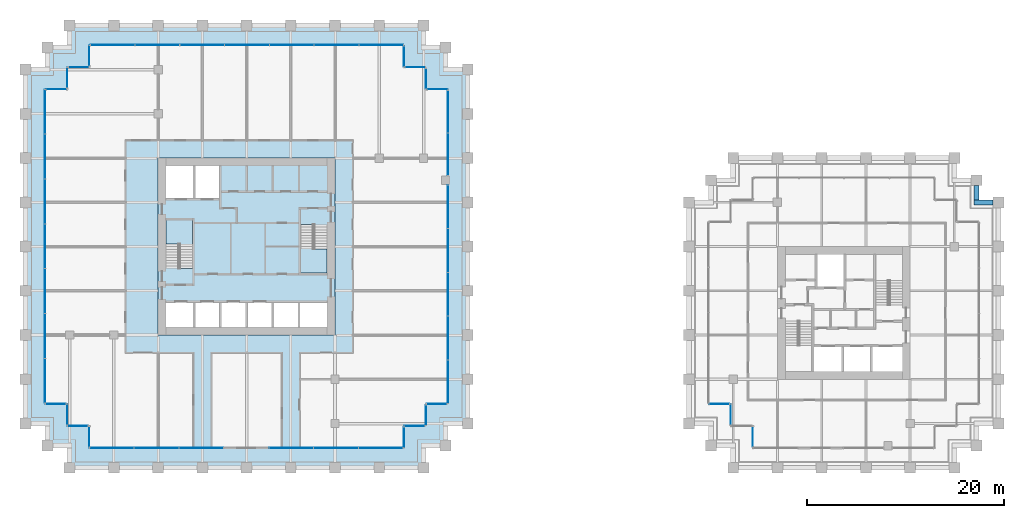
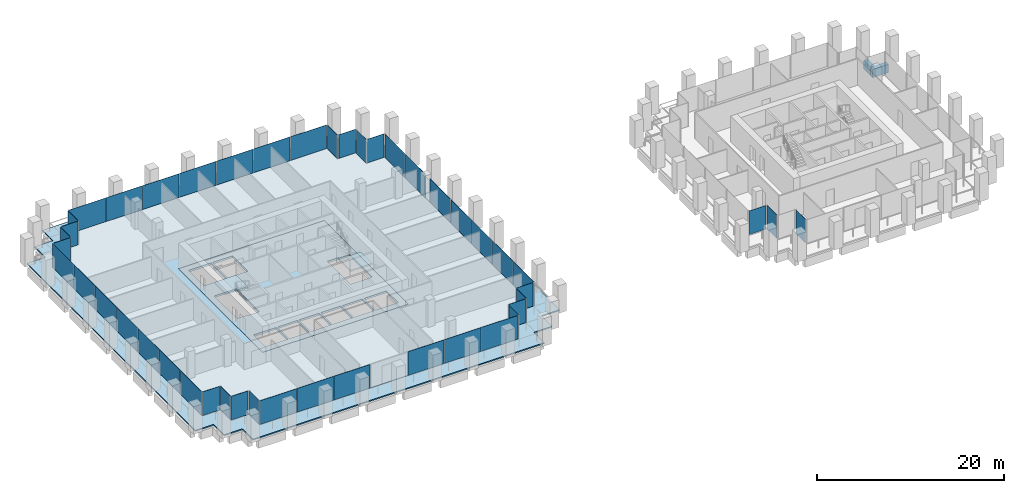
# One storey, part 48 of 56: 46 plates, 5 slabs, 2 beams, 27 elements without a shape of their own.
"""IFC4 building model written with IfcOpenShell, lengths in metres."""

from ifc_helpers import new_model, si_unit, direction, frame, origin, origin_2d, place, context, subcontext, project, spatial, polyline, rectangle, outline, extrude, material, layer, layer_set, material_profile, profile_set, type_object, element, aggregate, save


model = new_model("IFC4")

# Units and contexts
model_context = context("Model", 3, precision=1e-05, world=origin(), true_north=direction((0.0, 1.0)))
body_context = subcontext(model_context, "Body", "Model", "MODEL_VIEW")
ifc_project = project(units=[si_unit("LENGTHUNIT", "METRE"), si_unit("AREAUNIT", "SQUARE_METRE"), si_unit("VOLUMEUNIT", "CUBIC_METRE"), si_unit("PLANEANGLEUNIT", "RADIAN"), si_unit("MASSUNIT", "GRAM", prefix="KILO")], contexts=[model_context])

# Site, building, storey
site_placement = place(None, origin())
site = spatial("IfcSite", under=ifc_project, at=site_placement, CompositionType="ELEMENT")
building_placement = place(site_placement, origin())
building = spatial("IfcBuilding", under=site, at=building_placement, Name="Altepetl Exchange Towers", CompositionType="ELEMENT")
storey_placement = place(building_placement, frame((0.0, 0.0, 76.199951171875)))
storey = spatial("IfcBuildingStorey", under=building, at=storey_placement, Name="L18", CompositionType="ELEMENT", Elevation=76.199951171875)

# Beams
ifc_material_1 = material(Name="Concrete C50/60 precast with cantera amarilla facing", Category="concrete")
ifc_material_profile = material_profile(ifc_material_1, rectangle(XDim=0.5, YDim=1.10009765625, at=origin_2d()), Name="500 x 1100")
ifc_profile_set = profile_set([ifc_material_profile], Name="Concrete C50/60 precast with cantera amarilla facing")
beam_type = type_object("IfcBeamType", Name="Spandrel beam 500x1100 cantera amarilla", PredefinedType="SPANDREL", material=ifc_profile_set)
beam_1_placement = place(storey_placement, frame((125.449951171875, 54.0, -0.699951171875), z_axis=(-1.0, 0.0, 0.0), x_axis=(0.0, -1.0, 0.0)))
element("IfcBeam", 1, at=beam_1_placement, inside=storey, type_object=beam_type, Name="sp:B:L18:014", PredefinedType="SPANDREL", context=body_context, shape_type="SweptSolid", body=[
    extrude(rectangle(XDim=0.5, YDim=1.10009765625, at=origin_2d()), origin(), (0.0, 0.0, 1.0), 1.949951171875),
])
beam_2_placement = place(storey_placement, frame((123.75, 54.25, -0.699951171875), z_axis=(0.0, 1.0, 0.0), x_axis=(-1.0, 0.0, 0.0)))
element("IfcBeam", 2, at=beam_2_placement, inside=storey, type_object=beam_type, Name="sp:B:L18:015", PredefinedType="SPANDREL", context=body_context, shape_type="SweptSolid", body=[
    extrude(rectangle(XDim=0.5, YDim=1.10009765625, at=origin_2d()), origin(), (0.0, 0.0, 1.0), 1.449951171875),
])

# Slabs
ifc_material_2 = material(Name="Concrete C40/50", Category="concrete")
ifc_layer_1 = layer(ifc_material_2, 0.14990234375)
ifc_layer_set_1 = layer_set([ifc_layer_1], Name="Concrete C40/50")
slab_type_1 = type_object("IfcSlabType", Name="Composite floor slab 150", PredefinedType="FLOOR", material=ifc_layer_set_1)
slab_1_placement = place(storey_placement, frame((0.0, 0.0, -0.14990234375)))
element("IfcSlab", 3, at=slab_1_placement, inside=storey, type_object=slab_type_1, Name="slab:A:L18:strip0", PredefinedType="FLOOR", context=body_context, shape_type="SweptSolid", body=[
    extrude(outline(polyline([(31.25, 67.75), (31.25, 65.5), (29.0, 65.5), (29.0, 33.5), (31.25, 33.5), (31.25, 31.25), (33.5, 31.25), (33.5, 29.0), (65.5, 29.0), (65.5, 31.25), (67.75, 31.25), (67.75, 33.5), (70.0, 33.5), (70.0, 65.5), (67.75, 65.5), (67.75, 67.75), (65.5, 67.75), (65.5, 70.0), (33.5, 70.0), (33.5, 67.75), (31.25, 67.75)]), holes=[polyline([(58.5, 58.5), (58.5, 40.5), (40.5, 40.5), (40.5, 58.5), (58.5, 58.5)])]), origin(), (0.0, 0.0, 1.0), 0.14990234375),
])
ifc_layer_2 = layer(ifc_material_2, 0.25)
ifc_layer_set_2 = layer_set([ifc_layer_2], Name="Concrete C40/50")
slab_type_2 = type_object("IfcSlabType", Name="Core floor slab 250", PredefinedType="FLOOR", material=ifc_layer_set_2)
slab_2_placement = place(storey_placement, frame((0.0, 0.0, -0.25)))
element("IfcSlab", 4, at=slab_2_placement, inside=storey, type_object=slab_type_2, Name="slab:A:L18:core0", PredefinedType="FLOOR", context=body_context, shape_type="SweptSolid", body=[
    extrude(outline(polyline([(40.5, 40.5), (58.5, 40.5), (58.5, 58.5), (40.5, 58.5), (40.5, 40.5)]), holes=[polyline([(41.300048828125, 43.800048828125), (44.06689453125, 43.800048828125), (44.06689453125, 41.300048828125), (41.300048828125, 41.300048828125), (41.300048828125, 43.800048828125)]), polyline([(44.26708984375, 43.800048828125), (46.73291015625, 43.800048828125), (46.73291015625, 41.300048828125), (44.26708984375, 41.300048828125), (44.26708984375, 43.800048828125)]), polyline([(46.93310546875, 43.800048828125), (49.39990234375, 43.800048828125), (49.39990234375, 41.300048828125), (46.93310546875, 41.300048828125), (46.93310546875, 43.800048828125)]), polyline([(52.06689453125, 43.800048828125), (52.06689453125, 41.300048828125), (49.60009765625, 41.300048828125), (49.60009765625, 43.800048828125), (52.06689453125, 43.800048828125)]), polyline([(54.73291015625, 43.800048828125), (54.73291015625, 41.300048828125), (52.26708984375, 41.300048828125), (52.26708984375, 43.800048828125), (54.73291015625, 43.800048828125)]), polyline([(54.93310546875, 43.800048828125), (57.699951171875, 43.800048828125), (57.699951171875, 41.300048828125), (54.93310546875, 41.300048828125), (54.93310546875, 43.800048828125)]), polyline([(55.0, 51.7490234375), (56.39990234375, 51.7490234375), (56.39990234375, 51.64990234375), (57.699951171875, 51.64990234375), (57.699951171875, 46.800048828125), (55.0, 46.800048828125), (55.0, 51.7490234375)]), polyline([(44.0, 47.2509765625), (42.60009765625, 47.2509765625), (42.60009765625, 47.35009765625), (41.300048828125, 47.35009765625), (41.300048828125, 52.199951171875), (44.0, 52.199951171875), (44.0, 47.2509765625)]), polyline([(44.06689453125, 57.699951171875), (44.06689453125, 54.39990234375), (41.300048828125, 54.39990234375), (41.300048828125, 57.699951171875), (44.06689453125, 57.699951171875)]), polyline([(46.73291015625, 57.699951171875), (46.73291015625, 54.39990234375), (44.26708984375, 54.39990234375), (44.26708984375, 57.699951171875), (46.73291015625, 57.699951171875)])]), origin(), (0.0, 0.0, 1.0), 0.25),
])

# Curtain wall, plate
ifc_material_3 = material(Name="Aluminium 6063-T6 glazing", Category="aluminium")
curtain_wall_type = type_object("IfcCurtainWallType", Name="Loggia glazing system", PredefinedType="NOTDEFINED", material=ifc_material_3)
curtain_wall_1_placement = place(storey_placement, origin())
curtain_wall_1 = element("IfcCurtainWall", 5, at=curtain_wall_1_placement, inside=storey, type_object=curtain_wall_type, Name="CW1 run", PredefinedType="NOTDEFINED")
ifc_material_4 = material(Name="Glass 6-16-6 low emissivity", Category="glass")
ifc_layer_3 = layer(ifc_material_4, 0.028076171875)
ifc_layer_set_3 = layer_set([ifc_layer_3], Name="Glass 6-16-6 low emissivity")
plate_type = type_object("IfcPlateType", Name="Glass panel 28 double glazed", PredefinedType="CURTAIN_PANEL", material=ifc_layer_set_3)
plate_1_placement = place(storey_placement, frame((30.16259765625, 65.5, 0.0), z_axis=(0.0, 0.0, 1.0), x_axis=(-1.0, 0.0, 0.0)))
plate_1 = element("IfcPlate", 6, at=plate_1_placement, type_object=plate_type, Name="GP1 panel", PredefinedType="CURTAIN_PANEL", context=body_context, shape_type="SweptSolid", body=[
    extrude(rectangle(XDim=2.054931640625, YDim=0.028076171875, at=origin_2d()), origin(), (0.0, 0.0, 1.0), 3.10009765625),
])
aggregate(curtain_wall_1, [plate_1])

# Curtain wall, plates
curtain_wall_2_placement = place(storey_placement, origin())
curtain_wall_2 = element("IfcCurtainWall", 7, at=curtain_wall_2_placement, inside=storey, type_object=curtain_wall_type, Name="CW1 run", PredefinedType="NOTDEFINED")
plate_2_placement = place(storey_placement, frame((29.0, 63.20458984375, 0.0), z_axis=(0.0, 0.0, 1.0), x_axis=(0.0, -1.0, 0.0)))
plate_2 = element("IfcPlate", 8, at=plate_2_placement, type_object=plate_type, Name="GP1 panel", PredefinedType="CURTAIN_PANEL", context=body_context, shape_type="SweptSolid", body=[
    extrude(rectangle(XDim=4.470703125, YDim=0.028076171875, at=origin_2d()), origin(), (0.0, 0.0, 1.0), 3.10009765625),
])
plate_3_placement = place(storey_placement, frame((29.0, 58.658935546875, 0.0), z_axis=(0.0, 0.0, 1.0), x_axis=(0.0, -1.0, 0.0)))
plate_3 = element("IfcPlate", 9, at=plate_3_placement, type_object=plate_type, Name="GP1 panel", PredefinedType="CURTAIN_PANEL", context=body_context, shape_type="SweptSolid", body=[
    extrude(rectangle(XDim=4.500732421875, YDim=0.028076171875, at=origin_2d()), origin(), (0.0, 0.0, 1.0), 3.10009765625),
])
plate_4_placement = place(storey_placement, frame((29.0, 54.09814453125, 0.0), z_axis=(0.0, 0.0, 1.0), x_axis=(0.0, -1.0, 0.0)))
plate_4 = element("IfcPlate", 10, at=plate_4_placement, type_object=plate_type, Name="GP1 panel", PredefinedType="CURTAIN_PANEL", context=body_context, shape_type="SweptSolid", body=[
    extrude(rectangle(XDim=4.500732421875, YDim=0.028076171875, at=origin_2d()), origin(), (0.0, 0.0, 1.0), 3.10009765625),
])
plate_5_placement = place(storey_placement, frame((29.0, 49.53759765625, 0.0), z_axis=(0.0, 0.0, 1.0), x_axis=(0.0, -1.0, 0.0)))
plate_5 = element("IfcPlate", 11, at=plate_5_placement, type_object=plate_type, Name="GP1 panel", PredefinedType="CURTAIN_PANEL", context=body_context, shape_type="SweptSolid", body=[
    extrude(rectangle(XDim=4.500732421875, YDim=0.028076171875, at=origin_2d()), origin(), (0.0, 0.0, 1.0), 3.10009765625),
])
plate_6_placement = place(storey_placement, frame((29.0, 44.976806640625, 0.0), z_axis=(0.0, 0.0, 1.0), x_axis=(0.0, -1.0, 0.0)))
plate_6 = element("IfcPlate", 12, at=plate_6_placement, type_object=plate_type, Name="GP1 panel", PredefinedType="CURTAIN_PANEL", context=body_context, shape_type="SweptSolid", body=[
    extrude(rectangle(XDim=4.500732421875, YDim=0.028076171875, at=origin_2d()), origin(), (0.0, 0.0, 1.0), 3.10009765625),
])
plate_7_placement = place(storey_placement, frame((29.0, 40.416015625, 0.0), z_axis=(0.0, 0.0, 1.0), x_axis=(0.0, -1.0, 0.0)))
plate_7 = element("IfcPlate", 13, at=plate_7_placement, type_object=plate_type, Name="GP1 panel", PredefinedType="CURTAIN_PANEL", context=body_context, shape_type="SweptSolid", body=[
    extrude(rectangle(XDim=4.500732421875, YDim=0.028076171875, at=origin_2d()), origin(), (0.0, 0.0, 1.0), 3.10009765625),
])
plate_8_placement = place(storey_placement, frame((29.0, 35.870361328125, 0.0), z_axis=(0.0, 0.0, 1.0), x_axis=(0.0, -1.0, 0.0)))
plate_8 = element("IfcPlate", 14, at=plate_8_placement, type_object=plate_type, Name="GP1 panel", PredefinedType="CURTAIN_PANEL", context=body_context, shape_type="SweptSolid", body=[
    extrude(rectangle(XDim=4.470703125, YDim=0.028076171875, at=origin_2d()), origin(), (0.0, 0.0, 1.0), 3.10009765625),
])
aggregate(curtain_wall_2, [plate_2, plate_3, plate_4, plate_5, plate_6, plate_7, plate_8])

# Curtain wall, plate
curtain_wall_3_placement = place(storey_placement, origin())
curtain_wall_3 = element("IfcCurtainWall", 15, at=curtain_wall_3_placement, inside=storey, type_object=curtain_wall_type, Name="CW1 run", PredefinedType="NOTDEFINED")
plate_9_placement = place(storey_placement, frame((30.08740234375, 33.5, 0.0)))
plate_9 = element("IfcPlate", 16, at=plate_9_placement, type_object=plate_type, Name="GP1 panel", PredefinedType="CURTAIN_PANEL", context=body_context, shape_type="SweptSolid", body=[
    extrude(rectangle(XDim=2.054931640625, YDim=0.028076171875, at=origin_2d()), origin(), (0.0, 0.0, 1.0), 3.10009765625),
])
aggregate(curtain_wall_3, [plate_9])

curtain_wall_4_placement = place(storey_placement, origin())
curtain_wall_4 = element("IfcCurtainWall", 17, at=curtain_wall_4_placement, inside=storey, type_object=curtain_wall_type, Name="CW1 run", PredefinedType="NOTDEFINED")
plate_10_placement = place(storey_placement, frame((31.25, 32.41259765625, 0.0), z_axis=(0.0, 0.0, 1.0), x_axis=(0.0, -1.0, 0.0)))
plate_10 = element("IfcPlate", 18, at=plate_10_placement, type_object=plate_type, Name="GP1 panel", PredefinedType="CURTAIN_PANEL", context=body_context, shape_type="SweptSolid", body=[
    extrude(rectangle(XDim=2.054931640625, YDim=0.028076171875, at=origin_2d()), origin(), (0.0, 0.0, 1.0), 3.10009765625),
])
aggregate(curtain_wall_4, [plate_10])

curtain_wall_5_placement = place(storey_placement, origin())
curtain_wall_5 = element("IfcCurtainWall", 19, at=curtain_wall_5_placement, inside=storey, type_object=curtain_wall_type, Name="CW1 run", PredefinedType="NOTDEFINED")
plate_11_placement = place(storey_placement, frame((32.33740234375, 31.25, 0.0)))
plate_11 = element("IfcPlate", 20, at=plate_11_placement, type_object=plate_type, Name="GP1 panel", PredefinedType="CURTAIN_PANEL", context=body_context, shape_type="SweptSolid", body=[
    extrude(rectangle(XDim=2.054931640625, YDim=0.028076171875, at=origin_2d()), origin(), (0.0, 0.0, 1.0), 3.10009765625),
])
aggregate(curtain_wall_5, [plate_11])

curtain_wall_6_placement = place(storey_placement, origin())
curtain_wall_6 = element("IfcCurtainWall", 21, at=curtain_wall_6_placement, inside=storey, type_object=curtain_wall_type, Name="CW1 run", PredefinedType="NOTDEFINED")
plate_12_placement = place(storey_placement, frame((33.5, 30.16259765625, 0.0), z_axis=(0.0, 0.0, 1.0), x_axis=(0.0, -1.0, 0.0)))
plate_12 = element("IfcPlate", 22, at=plate_12_placement, type_object=plate_type, Name="GP1 panel", PredefinedType="CURTAIN_PANEL", context=body_context, shape_type="SweptSolid", body=[
    extrude(rectangle(XDim=2.054931640625, YDim=0.028076171875, at=origin_2d()), origin(), (0.0, 0.0, 1.0), 3.10009765625),
])
aggregate(curtain_wall_6, [plate_12])

# Curtain wall, plates
curtain_wall_7_placement = place(storey_placement, origin())
curtain_wall_7 = element("IfcCurtainWall", 23, at=curtain_wall_7_placement, inside=storey, type_object=curtain_wall_type, Name="CW1 run", PredefinedType="NOTDEFINED")
plate_13_placement = place(storey_placement, frame((35.79541015625, 29.0, 0.0)))
plate_13 = element("IfcPlate", 24, at=plate_13_placement, type_object=plate_type, Name="GP1 panel", PredefinedType="CURTAIN_PANEL", context=body_context, shape_type="SweptSolid", body=[
    extrude(rectangle(XDim=4.470703125, YDim=0.028076171875, at=origin_2d()), origin(), (0.0, 0.0, 1.0), 3.10009765625),
])
plate_14_placement = place(storey_placement, frame((40.341064453125, 29.0, 0.0)))
plate_14 = element("IfcPlate", 25, at=plate_14_placement, type_object=plate_type, Name="GP1 panel", PredefinedType="CURTAIN_PANEL", context=body_context, shape_type="SweptSolid", body=[
    extrude(rectangle(XDim=4.500732421875, YDim=0.028076171875, at=origin_2d()), origin(), (0.0, 0.0, 1.0), 3.10009765625),
])
plate_15_placement = place(storey_placement, frame((44.88671875, 29.0, 0.0)))
plate_15 = element("IfcPlate", 26, at=plate_15_placement, type_object=plate_type, Name="GP1 panel", PredefinedType="CURTAIN_PANEL", context=body_context, shape_type="SweptSolid", body=[
    extrude(rectangle(XDim=4.470703125, YDim=0.028076171875, at=origin_2d()), origin(), (0.0, 0.0, 1.0), 3.10009765625),
])
aggregate(curtain_wall_7, [plate_13, plate_14, plate_15])

curtain_wall_8_placement = place(storey_placement, origin())
curtain_wall_8 = element("IfcCurtainWall", 27, at=curtain_wall_8_placement, inside=storey, type_object=curtain_wall_type, Name="CW1 run", PredefinedType="NOTDEFINED")
plate_16_placement = place(storey_placement, frame((54.038330078125, 29.0, 0.0)))
plate_16 = element("IfcPlate", 28, at=plate_16_placement, type_object=plate_type, Name="GP1 panel", PredefinedType="CURTAIN_PANEL", context=body_context, shape_type="SweptSolid", body=[
    extrude(rectangle(XDim=4.470703125, YDim=0.028076171875, at=origin_2d()), origin(), (0.0, 0.0, 1.0), 3.10009765625),
])
plate_17_placement = place(storey_placement, frame((58.583984375, 29.0, 0.0)))
plate_17 = element("IfcPlate", 29, at=plate_17_placement, type_object=plate_type, Name="GP1 panel", PredefinedType="CURTAIN_PANEL", context=body_context, shape_type="SweptSolid", body=[
    extrude(rectangle(XDim=4.500732421875, YDim=0.028076171875, at=origin_2d()), origin(), (0.0, 0.0, 1.0), 3.10009765625),
])
plate_18_placement = place(storey_placement, frame((63.129638671875, 29.0, 0.0)))
plate_18 = element("IfcPlate", 30, at=plate_18_placement, type_object=plate_type, Name="GP1 panel", PredefinedType="CURTAIN_PANEL", context=body_context, shape_type="SweptSolid", body=[
    extrude(rectangle(XDim=4.470703125, YDim=0.028076171875, at=origin_2d()), origin(), (0.0, 0.0, 1.0), 3.10009765625),
])
aggregate(curtain_wall_8, [plate_16, plate_17, plate_18])

# Curtain wall, plate
curtain_wall_9_placement = place(storey_placement, origin())
curtain_wall_9 = element("IfcCurtainWall", 31, at=curtain_wall_9_placement, inside=storey, type_object=curtain_wall_type, Name="CW1 run", PredefinedType="NOTDEFINED")
plate_19_placement = place(storey_placement, frame((65.5, 30.08740234375, 0.0), z_axis=(0.0, 0.0, 1.0), x_axis=(0.0, 1.0, 0.0)))
plate_19 = element("IfcPlate", 32, at=plate_19_placement, type_object=plate_type, Name="GP1 panel", PredefinedType="CURTAIN_PANEL", context=body_context, shape_type="SweptSolid", body=[
    extrude(rectangle(XDim=2.054931640625, YDim=0.028076171875, at=origin_2d()), origin(), (0.0, 0.0, 1.0), 3.10009765625),
])
aggregate(curtain_wall_9, [plate_19])

curtain_wall_10_placement = place(storey_placement, origin())
curtain_wall_10 = element("IfcCurtainWall", 33, at=curtain_wall_10_placement, inside=storey, type_object=curtain_wall_type, Name="CW1 run", PredefinedType="NOTDEFINED")
plate_20_placement = place(storey_placement, frame((66.58740234375, 31.25, 0.0)))
plate_20 = element("IfcPlate", 34, at=plate_20_placement, type_object=plate_type, Name="GP1 panel", PredefinedType="CURTAIN_PANEL", context=body_context, shape_type="SweptSolid", body=[
    extrude(rectangle(XDim=2.054931640625, YDim=0.028076171875, at=origin_2d()), origin(), (0.0, 0.0, 1.0), 3.10009765625),
])
aggregate(curtain_wall_10, [plate_20])

curtain_wall_11_placement = place(storey_placement, origin())
curtain_wall_11 = element("IfcCurtainWall", 35, at=curtain_wall_11_placement, inside=storey, type_object=curtain_wall_type, Name="CW1 run", PredefinedType="NOTDEFINED")
plate_21_placement = place(storey_placement, frame((67.75, 32.33740234375, 0.0), z_axis=(0.0, 0.0, 1.0), x_axis=(0.0, 1.0, 0.0)))
plate_21 = element("IfcPlate", 36, at=plate_21_placement, type_object=plate_type, Name="GP1 panel", PredefinedType="CURTAIN_PANEL", context=body_context, shape_type="SweptSolid", body=[
    extrude(rectangle(XDim=2.054931640625, YDim=0.028076171875, at=origin_2d()), origin(), (0.0, 0.0, 1.0), 3.10009765625),
])
aggregate(curtain_wall_11, [plate_21])

curtain_wall_12_placement = place(storey_placement, origin())
curtain_wall_12 = element("IfcCurtainWall", 37, at=curtain_wall_12_placement, inside=storey, type_object=curtain_wall_type, Name="CW1 run", PredefinedType="NOTDEFINED")
plate_22_placement = place(storey_placement, frame((68.83740234375, 33.5, 0.0)))
plate_22 = element("IfcPlate", 38, at=plate_22_placement, type_object=plate_type, Name="GP1 panel", PredefinedType="CURTAIN_PANEL", context=body_context, shape_type="SweptSolid", body=[
    extrude(rectangle(XDim=2.054931640625, YDim=0.028076171875, at=origin_2d()), origin(), (0.0, 0.0, 1.0), 3.10009765625),
])
aggregate(curtain_wall_12, [plate_22])

# Curtain wall, plates
curtain_wall_13_placement = place(storey_placement, origin())
curtain_wall_13 = element("IfcCurtainWall", 39, at=curtain_wall_13_placement, inside=storey, type_object=curtain_wall_type, Name="CW1 run", PredefinedType="NOTDEFINED")
plate_23_placement = place(storey_placement, frame((70.0, 35.74560546875, 0.0), z_axis=(0.0, 0.0, 1.0), x_axis=(0.0, 1.0, 0.0)))
plate_23 = element("IfcPlate", 40, at=plate_23_placement, type_object=plate_type, Name="GP1 panel", PredefinedType="CURTAIN_PANEL", context=body_context, shape_type="SweptSolid", body=[
    extrude(rectangle(XDim=4.37109375, YDim=0.028076171875, at=origin_2d()), origin(), (0.0, 0.0, 1.0), 3.10009765625),
])
plate_24_placement = place(storey_placement, frame((70.0, 40.19140625, 0.0), z_axis=(0.0, 0.0, 1.0), x_axis=(0.0, 1.0, 0.0)))
plate_24 = element("IfcPlate", 41, at=plate_24_placement, type_object=plate_type, Name="GP1 panel", PredefinedType="CURTAIN_PANEL", context=body_context, shape_type="SweptSolid", body=[
    extrude(rectangle(XDim=4.40087890625, YDim=0.028076171875, at=origin_2d()), origin(), (0.0, 0.0, 1.0), 3.10009765625),
])
plate_25_placement = place(storey_placement, frame((70.0, 44.652587890625, 0.0), z_axis=(0.0, 0.0, 1.0), x_axis=(0.0, 1.0, 0.0)))
plate_25 = element("IfcPlate", 42, at=plate_25_placement, type_object=plate_type, Name="GP1 panel", PredefinedType="CURTAIN_PANEL", context=body_context, shape_type="SweptSolid", body=[
    extrude(rectangle(XDim=4.40087890625, YDim=0.028076171875, at=origin_2d()), origin(), (0.0, 0.0, 1.0), 3.10009765625),
])
plate_26_placement = place(storey_placement, frame((70.0, 49.113525390625, 0.0), z_axis=(0.0, 0.0, 1.0), x_axis=(0.0, 1.0, 0.0)))
plate_26 = element("IfcPlate", 43, at=plate_26_placement, type_object=plate_type, Name="GP1 panel", PredefinedType="CURTAIN_PANEL", context=body_context, shape_type="SweptSolid", body=[
    extrude(rectangle(XDim=4.40087890625, YDim=0.028076171875, at=origin_2d()), origin(), (0.0, 0.0, 1.0), 3.10009765625),
])
plate_27_placement = place(storey_placement, frame((70.0, 53.5595703125, 0.0), z_axis=(0.0, 0.0, 1.0), x_axis=(0.0, 1.0, 0.0)))
plate_27 = element("IfcPlate", 44, at=plate_27_placement, type_object=plate_type, Name="GP1 panel", PredefinedType="CURTAIN_PANEL", context=body_context, shape_type="SweptSolid", body=[
    extrude(rectangle(XDim=4.37109375, YDim=0.028076171875, at=origin_2d()), origin(), (0.0, 0.0, 1.0), 3.10009765625),
])
aggregate(curtain_wall_13, [plate_23, plate_24, plate_25, plate_26, plate_27])

curtain_wall_14_placement = place(storey_placement, origin())
curtain_wall_14 = element("IfcCurtainWall", 45, at=curtain_wall_14_placement, inside=storey, type_object=curtain_wall_type, Name="CW1 run", PredefinedType="NOTDEFINED")
plate_28_placement = place(storey_placement, frame((70.0, 58.892578125, 0.0), z_axis=(0.0, 0.0, 1.0), x_axis=(0.0, 1.0, 0.0)))
plate_28 = element("IfcPlate", 46, at=plate_28_placement, type_object=plate_type, Name="GP1 panel", PredefinedType="CURTAIN_PANEL", context=body_context, shape_type="SweptSolid", body=[
    extrude(rectangle(XDim=4.27490234375, YDim=0.028076171875, at=origin_2d()), origin(), (0.0, 0.0, 1.0), 3.10009765625),
])
plate_29_placement = place(storey_placement, frame((70.0, 63.2275390625, 0.0), z_axis=(0.0, 0.0, 1.0), x_axis=(0.0, 1.0, 0.0)))
plate_29 = element("IfcPlate", 47, at=plate_29_placement, type_object=plate_type, Name="GP1 panel", PredefinedType="CURTAIN_PANEL", context=body_context, shape_type="SweptSolid", body=[
    extrude(rectangle(XDim=4.27490234375, YDim=0.028076171875, at=origin_2d()), origin(), (0.0, 0.0, 1.0), 3.10009765625),
])
aggregate(curtain_wall_14, [plate_28, plate_29])

# Curtain wall, plate
curtain_wall_15_placement = place(storey_placement, origin())
curtain_wall_15 = element("IfcCurtainWall", 48, at=curtain_wall_15_placement, inside=storey, type_object=curtain_wall_type, Name="CW1 run", PredefinedType="NOTDEFINED")
plate_30_placement = place(storey_placement, frame((68.91259765625, 65.5, 0.0), z_axis=(0.0, 0.0, 1.0), x_axis=(-1.0, 0.0, 0.0)))
plate_30 = element("IfcPlate", 49, at=plate_30_placement, type_object=plate_type, Name="GP1 panel", PredefinedType="CURTAIN_PANEL", context=body_context, shape_type="SweptSolid", body=[
    extrude(rectangle(XDim=2.054931640625, YDim=0.028076171875, at=origin_2d()), origin(), (0.0, 0.0, 1.0), 3.10009765625),
])
aggregate(curtain_wall_15, [plate_30])

curtain_wall_16_placement = place(storey_placement, origin())
curtain_wall_16 = element("IfcCurtainWall", 50, at=curtain_wall_16_placement, inside=storey, type_object=curtain_wall_type, Name="CW1 run", PredefinedType="NOTDEFINED")
plate_31_placement = place(storey_placement, frame((67.75, 66.58740234375, 0.0), z_axis=(0.0, 0.0, 1.0), x_axis=(0.0, 1.0, 0.0)))
plate_31 = element("IfcPlate", 51, at=plate_31_placement, type_object=plate_type, Name="GP1 panel", PredefinedType="CURTAIN_PANEL", context=body_context, shape_type="SweptSolid", body=[
    extrude(rectangle(XDim=2.054931640625, YDim=0.028076171875, at=origin_2d()), origin(), (0.0, 0.0, 1.0), 3.10009765625),
])
aggregate(curtain_wall_16, [plate_31])

curtain_wall_17_placement = place(storey_placement, origin())
curtain_wall_17 = element("IfcCurtainWall", 52, at=curtain_wall_17_placement, inside=storey, type_object=curtain_wall_type, Name="CW1 run", PredefinedType="NOTDEFINED")
plate_32_placement = place(storey_placement, frame((66.66259765625, 67.75, 0.0), z_axis=(0.0, 0.0, 1.0), x_axis=(-1.0, 0.0, 0.0)))
plate_32 = element("IfcPlate", 53, at=plate_32_placement, type_object=plate_type, Name="GP1 panel", PredefinedType="CURTAIN_PANEL", context=body_context, shape_type="SweptSolid", body=[
    extrude(rectangle(XDim=2.054931640625, YDim=0.028076171875, at=origin_2d()), origin(), (0.0, 0.0, 1.0), 3.10009765625),
])
aggregate(curtain_wall_17, [plate_32])

curtain_wall_18_placement = place(storey_placement, origin())
curtain_wall_18 = element("IfcCurtainWall", 54, at=curtain_wall_18_placement, inside=storey, type_object=curtain_wall_type, Name="CW1 run", PredefinedType="NOTDEFINED")
plate_33_placement = place(storey_placement, frame((65.5, 68.83740234375, 0.0), z_axis=(0.0, 0.0, 1.0), x_axis=(0.0, 1.0, 0.0)))
plate_33 = element("IfcPlate", 55, at=plate_33_placement, type_object=plate_type, Name="GP1 panel", PredefinedType="CURTAIN_PANEL", context=body_context, shape_type="SweptSolid", body=[
    extrude(rectangle(XDim=2.054931640625, YDim=0.028076171875, at=origin_2d()), origin(), (0.0, 0.0, 1.0), 3.10009765625),
])
aggregate(curtain_wall_18, [plate_33])

# Curtain wall, plates
curtain_wall_19_placement = place(storey_placement, origin())
curtain_wall_19 = element("IfcCurtainWall", 56, at=curtain_wall_19_placement, inside=storey, type_object=curtain_wall_type, Name="CW1 run", PredefinedType="NOTDEFINED")
plate_34_placement = place(storey_placement, frame((63.20458984375, 70.0, 0.0), z_axis=(0.0, 0.0, 1.0), x_axis=(-1.0, 0.0, 0.0)))
plate_34 = element("IfcPlate", 57, at=plate_34_placement, type_object=plate_type, Name="GP1 panel", PredefinedType="CURTAIN_PANEL", context=body_context, shape_type="SweptSolid", body=[
    extrude(rectangle(XDim=4.470703125, YDim=0.028076171875, at=origin_2d()), origin(), (0.0, 0.0, 1.0), 3.10009765625),
])
plate_35_placement = place(storey_placement, frame((58.658935546875, 70.0, 0.0), z_axis=(0.0, 0.0, 1.0), x_axis=(-1.0, 0.0, 0.0)))
plate_35 = element("IfcPlate", 58, at=plate_35_placement, type_object=plate_type, Name="GP1 panel", PredefinedType="CURTAIN_PANEL", context=body_context, shape_type="SweptSolid", body=[
    extrude(rectangle(XDim=4.500732421875, YDim=0.028076171875, at=origin_2d()), origin(), (0.0, 0.0, 1.0), 3.10009765625),
])
plate_36_placement = place(storey_placement, frame((54.09814453125, 70.0, 0.0), z_axis=(0.0, 0.0, 1.0), x_axis=(-1.0, 0.0, 0.0)))
plate_36 = element("IfcPlate", 59, at=plate_36_placement, type_object=plate_type, Name="GP1 panel", PredefinedType="CURTAIN_PANEL", context=body_context, shape_type="SweptSolid", body=[
    extrude(rectangle(XDim=4.500732421875, YDim=0.028076171875, at=origin_2d()), origin(), (0.0, 0.0, 1.0), 3.10009765625),
])
plate_37_placement = place(storey_placement, frame((49.53759765625, 70.0, 0.0), z_axis=(0.0, 0.0, 1.0), x_axis=(-1.0, 0.0, 0.0)))
plate_37 = element("IfcPlate", 60, at=plate_37_placement, type_object=plate_type, Name="GP1 panel", PredefinedType="CURTAIN_PANEL", context=body_context, shape_type="SweptSolid", body=[
    extrude(rectangle(XDim=4.500732421875, YDim=0.028076171875, at=origin_2d()), origin(), (0.0, 0.0, 1.0), 3.10009765625),
])
plate_38_placement = place(storey_placement, frame((44.976806640625, 70.0, 0.0), z_axis=(0.0, 0.0, 1.0), x_axis=(-1.0, 0.0, 0.0)))
plate_38 = element("IfcPlate", 61, at=plate_38_placement, type_object=plate_type, Name="GP1 panel", PredefinedType="CURTAIN_PANEL", context=body_context, shape_type="SweptSolid", body=[
    extrude(rectangle(XDim=4.500732421875, YDim=0.028076171875, at=origin_2d()), origin(), (0.0, 0.0, 1.0), 3.10009765625),
])
plate_39_placement = place(storey_placement, frame((40.416015625, 70.0, 0.0), z_axis=(0.0, 0.0, 1.0), x_axis=(-1.0, 0.0, 0.0)))
plate_39 = element("IfcPlate", 62, at=plate_39_placement, type_object=plate_type, Name="GP1 panel", PredefinedType="CURTAIN_PANEL", context=body_context, shape_type="SweptSolid", body=[
    extrude(rectangle(XDim=4.500732421875, YDim=0.028076171875, at=origin_2d()), origin(), (0.0, 0.0, 1.0), 3.10009765625),
])
plate_40_placement = place(storey_placement, frame((35.870361328125, 70.0, 0.0), z_axis=(0.0, 0.0, 1.0), x_axis=(-1.0, 0.0, 0.0)))
plate_40 = element("IfcPlate", 63, at=plate_40_placement, type_object=plate_type, Name="GP1 panel", PredefinedType="CURTAIN_PANEL", context=body_context, shape_type="SweptSolid", body=[
    extrude(rectangle(XDim=4.470703125, YDim=0.028076171875, at=origin_2d()), origin(), (0.0, 0.0, 1.0), 3.10009765625),
])
aggregate(curtain_wall_19, [plate_34, plate_35, plate_36, plate_37, plate_38, plate_39, plate_40])

# Curtain wall, plate
curtain_wall_20_placement = place(storey_placement, origin())
curtain_wall_20 = element("IfcCurtainWall", 64, at=curtain_wall_20_placement, inside=storey, type_object=curtain_wall_type, Name="CW1 run", PredefinedType="NOTDEFINED")
plate_41_placement = place(storey_placement, frame((33.5, 68.91259765625, 0.0), z_axis=(0.0, 0.0, 1.0), x_axis=(0.0, -1.0, 0.0)))
plate_41 = element("IfcPlate", 65, at=plate_41_placement, type_object=plate_type, Name="GP1 panel", PredefinedType="CURTAIN_PANEL", context=body_context, shape_type="SweptSolid", body=[
    extrude(rectangle(XDim=2.054931640625, YDim=0.028076171875, at=origin_2d()), origin(), (0.0, 0.0, 1.0), 3.10009765625),
])
aggregate(curtain_wall_20, [plate_41])

curtain_wall_21_placement = place(storey_placement, origin())
curtain_wall_21 = element("IfcCurtainWall", 66, at=curtain_wall_21_placement, inside=storey, type_object=curtain_wall_type, Name="CW1 run", PredefinedType="NOTDEFINED")
plate_42_placement = place(storey_placement, frame((32.41259765625, 67.75, 0.0), z_axis=(0.0, 0.0, 1.0), x_axis=(-1.0, 0.0, 0.0)))
plate_42 = element("IfcPlate", 67, at=plate_42_placement, type_object=plate_type, Name="GP1 panel", PredefinedType="CURTAIN_PANEL", context=body_context, shape_type="SweptSolid", body=[
    extrude(rectangle(XDim=2.054931640625, YDim=0.028076171875, at=origin_2d()), origin(), (0.0, 0.0, 1.0), 3.10009765625),
])
aggregate(curtain_wall_21, [plate_42])

curtain_wall_22_placement = place(storey_placement, origin())
curtain_wall_22 = element("IfcCurtainWall", 68, at=curtain_wall_22_placement, inside=storey, type_object=curtain_wall_type, Name="CW1 run", PredefinedType="NOTDEFINED")
plate_43_placement = place(storey_placement, frame((31.25, 66.66259765625, 0.0), z_axis=(0.0, 0.0, 1.0), x_axis=(0.0, -1.0, 0.0)))
plate_43 = element("IfcPlate", 69, at=plate_43_placement, type_object=plate_type, Name="GP1 panel", PredefinedType="CURTAIN_PANEL", context=body_context, shape_type="SweptSolid", body=[
    extrude(rectangle(XDim=2.054931640625, YDim=0.028076171875, at=origin_2d()), origin(), (0.0, 0.0, 1.0), 3.10009765625),
])
aggregate(curtain_wall_22, [plate_43])

curtain_wall_23_placement = place(storey_placement, origin())
curtain_wall_23 = element("IfcCurtainWall", 70, at=curtain_wall_23_placement, inside=storey, type_object=curtain_wall_type, Name="CW1 run", PredefinedType="NOTDEFINED")
plate_44_placement = place(storey_placement, frame((97.58740234375, 33.5, 0.0)))
plate_44 = element("IfcPlate", 71, at=plate_44_placement, type_object=plate_type, Name="GP1 panel", PredefinedType="CURTAIN_PANEL", context=body_context, shape_type="SweptSolid", body=[
    extrude(rectangle(XDim=2.054931640625, YDim=0.028076171875, at=origin_2d()), origin(), (0.0, 0.0, 1.0), 3.10009765625),
])
aggregate(curtain_wall_23, [plate_44])

curtain_wall_24_placement = place(storey_placement, origin())
curtain_wall_24 = element("IfcCurtainWall", 72, at=curtain_wall_24_placement, inside=storey, type_object=curtain_wall_type, Name="CW1 run", PredefinedType="NOTDEFINED")
plate_45_placement = place(storey_placement, frame((98.75, 32.41259765625, 0.0), z_axis=(0.0, 0.0, 1.0), x_axis=(0.0, -1.0, 0.0)))
plate_45 = element("IfcPlate", 73, at=plate_45_placement, type_object=plate_type, Name="GP1 panel", PredefinedType="CURTAIN_PANEL", context=body_context, shape_type="SweptSolid", body=[
    extrude(rectangle(XDim=2.054931640625, YDim=0.028076171875, at=origin_2d()), origin(), (0.0, 0.0, 1.0), 3.10009765625),
])
aggregate(curtain_wall_24, [plate_45])

curtain_wall_25_placement = place(storey_placement, origin())
curtain_wall_25 = element("IfcCurtainWall", 74, at=curtain_wall_25_placement, inside=storey, type_object=curtain_wall_type, Name="CW1 run", PredefinedType="NOTDEFINED")
plate_46_placement = place(storey_placement, frame((101.0, 30.16259765625, 0.0), z_axis=(0.0, 0.0, 1.0), x_axis=(0.0, -1.0, 0.0)))
plate_46 = element("IfcPlate", 75, at=plate_46_placement, type_object=plate_type, Name="GP1 panel", PredefinedType="CURTAIN_PANEL", context=body_context, shape_type="SweptSolid", body=[
    extrude(rectangle(XDim=2.054931640625, YDim=0.028076171875, at=origin_2d()), origin(), (0.0, 0.0, 1.0), 3.10009765625),
])
aggregate(curtain_wall_25, [plate_46])

# Slab
ifc_layer_4 = layer(ifc_material_2, 0.14990234375)
ifc_layer_set_4 = layer_set([ifc_layer_4], Name="Concrete C40/50")
slab_type_3 = type_object("IfcSlabType", Name="Loggia slab 150", PredefinedType="FLOOR", material=ifc_layer_set_4)
slab_3_placement = place(storey_placement, frame((0.0, 0.0, -0.14990234375)))
element("IfcSlab", 76, at=slab_3_placement, inside=storey, type_object=slab_type_3, Name="slab:A:L18:loggia0", PredefinedType="FLOOR", context=body_context, shape_type="SweptSolid", body=[
    extrude(outline(polyline([(29.25, 67.5), (27.0, 67.5), (27.0, 40.5), (27.0, 31.5), (29.25, 31.5), (29.25, 29.25), (31.5, 29.25), (31.5, 27.0), (58.5, 27.0), (67.5, 27.0), (67.5, 29.25), (69.75, 29.25), (69.75, 31.5), (72.0, 31.5), (72.0, 58.5), (72.0, 67.5), (69.75, 67.5), (69.75, 69.75), (67.5, 69.75), (67.5, 72.0), (40.5, 72.0), (31.5, 72.0), (31.5, 69.75), (29.25, 69.75), (29.25, 67.5)]), holes=[polyline([(29.0, 65.5), (31.25, 65.5), (31.25, 67.75), (33.5, 67.75), (33.5, 70.0), (65.5, 70.0), (65.5, 67.75), (67.75, 67.75), (67.75, 65.5), (70.0, 65.5), (70.0, 33.5), (67.75, 33.5), (67.75, 31.25), (65.5, 31.25), (65.5, 29.0), (33.5, 29.0), (33.5, 31.25), (31.25, 31.25), (31.25, 33.5), (29.0, 33.5), (29.0, 65.5)])]), origin(), (0.0, 0.0, 1.0), 0.14990234375),
])

# Stair, slab
stair_type = type_object("IfcStairType", Name="Exit stair 1300 flights dogleg", PredefinedType="HALF_TURN_STAIR", material=ifc_material_2)
stair_1_placement = place(storey_placement, origin())
stair_1 = element("IfcStair", 77, at=stair_1_placement, inside=storey, type_object=stair_type, Name="Exit stair 1", PredefinedType="HALF_TURN_STAIR")
ifc_layer_5 = layer(ifc_material_2, 0.199951171875)
ifc_layer_set_5 = layer_set([ifc_layer_5], Name="Concrete C40/50")
slab_type_4 = type_object("IfcSlabType", Name="Stair landing 200 reinforced concrete", PredefinedType="LANDING", material=ifc_layer_set_5)
slab_4_placement = place(storey_placement, frame((0.0, 0.0, 1.60009765625)))
slab_4 = element("IfcSlab", 78, at=slab_4_placement, type_object=slab_type_4, Name="ST-A1c landing 1", PredefinedType="LANDING", context=body_context, shape_type="SweptSolid", body=[
    extrude(outline(polyline([(44.0, 49.669921875), (42.699951171875, 49.669921875), (42.699951171875, 49.77001953125), (42.60009765625, 49.77001953125), (42.60009765625, 49.769287109375), (41.300048828125, 49.769287109375), (41.300048828125, 49.77001953125), (41.300048828125, 52.199951171875), (44.0, 52.199951171875), (44.0, 49.77001953125), (44.0, 49.669921875)])), origin(), (0.0, 0.0, 1.0), 0.199951171875),
])
aggregate(stair_1, [slab_4])

stair_2_placement = place(storey_placement, origin())
stair_2 = element("IfcStair", 79, at=stair_2_placement, inside=storey, type_object=stair_type, Name="Exit stair 2", PredefinedType="HALF_TURN_STAIR")
slab_5_placement = place(storey_placement, frame((0.0, 0.0, 1.60009765625)))
slab_5 = element("IfcSlab", 80, at=slab_5_placement, type_object=slab_type_4, Name="ST-A2c landing 1", PredefinedType="LANDING", context=body_context, shape_type="SweptSolid", body=[
    extrude(outline(polyline([(57.699951171875, 46.800048828125), (55.0, 46.800048828125), (55.0, 49.22998046875), (55.0, 49.330078125), (56.300048828125, 49.330078125), (56.300048828125, 49.22998046875), (56.39990234375, 49.22998046875), (56.39990234375, 49.230712890625), (57.699951171875, 49.230712890625), (57.699951171875, 49.22998046875), (57.699951171875, 46.800048828125)])), origin(), (0.0, 0.0, 1.0), 0.199951171875),
])
aggregate(stair_2, [slab_5])

save(model, "model.ifc")
